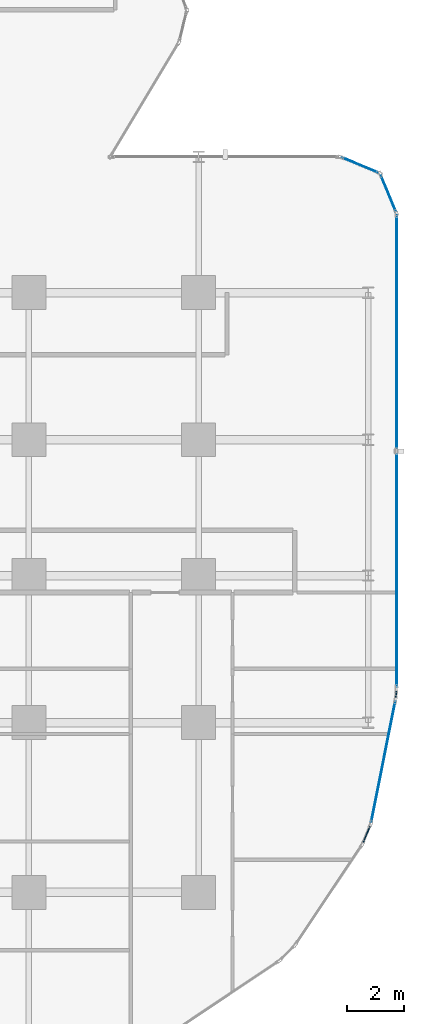
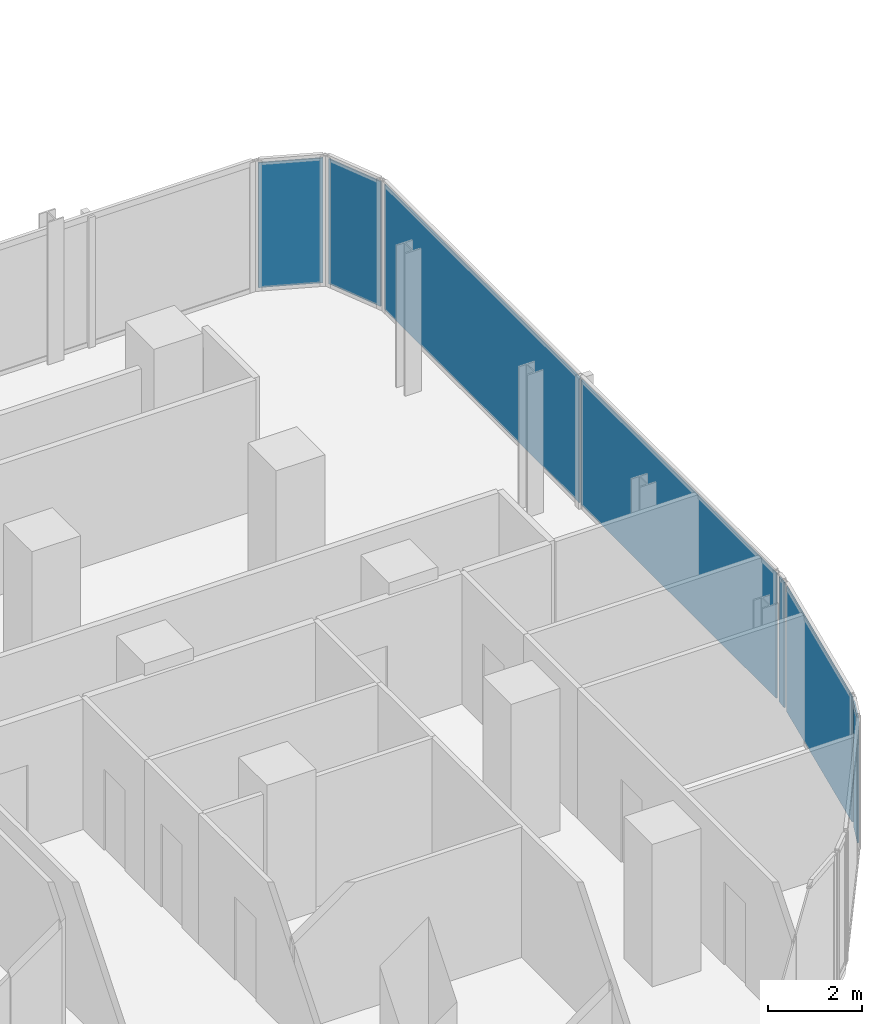
# One storey, part 25 of 34: 7 plates, 6 elements without a shape of their own.
"""IFC4 building model written with IfcOpenShell, lengths in metres."""

import ifcopenshell
import ifcopenshell.guid

model = None  # the IFC model being written
_history = None  # IfcOwnerHistory: only IFC2X3 demands one
_inside = {}  # id of a spatial element -> (the spatial element, [elements in it])
_under = {}  # id of a project, library or spatial element -> (it, [spatial elements below it])
_declared = {}  # id of a project -> (the project, [libraries it declares])
_typed = {}  # id of a type object -> (the type object, [elements of that type])
_made_of = {}  # id of a material, layer set ... -> (it, [elements and type objects made of it])


def new_model(schema):
    """Start an empty IFC model of exactly this schema.

    Asked for "IFC4X3", IfcOpenShell would pick the latest addendum, in which some entities
    have other attributes; the version numbers below select the first issue.
    IFC2X3 requires an IfcOwnerHistory on every rooted entity: one is made here for all.
    """
    global model, _history
    if schema == "IFC4X3":
        model = ifcopenshell.file(schema_version=(4, 3, 0, 0))
    else:
        model = ifcopenshell.file(schema=schema)
    _inside.clear()
    _under.clear()
    _declared.clear()
    _typed.clear()
    _made_of.clear()
    _history = None
    if model.schema == "IFC2X3":
        org = make("IfcOrganization", Name="unknown")
        user = make(
            "IfcPersonAndOrganization",
            ThePerson=make("IfcPerson", FamilyName="unknown"),
            TheOrganization=org,
        )
        app = make(
            "IfcApplication",
            ApplicationDeveloper=org,
            Version="unknown",
            ApplicationFullName="unknown",
            ApplicationIdentifier="unknown",
        )
        _history = make(
            "IfcOwnerHistory",
            OwningUser=user,
            OwningApplication=app,
            ChangeAction="ADDED",
            CreationDate=0,
        )
    return model


def make(cls, **values):
    """One entity of the class cls with the attributes given. An attribute that is None is left unset."""
    return model.create_entity(
        cls, **{name: value for name, value in values.items() if value is not None}
    )


def rooted(cls, **values):
    """An entity with a GlobalId (a new one), such as an element, a storey or a relation."""
    return make(cls, GlobalId=ifcopenshell.guid.new(), OwnerHistory=_history, **values)


def si_unit(unit_type, name, prefix=None):
    """IfcSIUnit, for example si_unit("LENGTHUNIT", "METRE", prefix="MILLI")."""
    return make("IfcSIUnit", UnitType=unit_type, Prefix=prefix, Name=name)


def assignment(units):
    """IfcUnitAssignment: the units of a project."""
    return None if units is None else make("IfcUnitAssignment", Units=units)


def point(xyz):
    """IfcCartesianPoint."""
    return None if xyz is None else make("IfcCartesianPoint", Coordinates=xyz)


def direction(xyz):
    """IfcDirection."""
    return None if xyz is None else make("IfcDirection", DirectionRatios=xyz)


def frame(location, z_axis=None, x_axis=None):
    """IfcAxis2Placement3D, a coordinate frame: its origin and axes. An axis left out is left unset."""
    return make(
        "IfcAxis2Placement3D",
        Location=point(location),
        Axis=direction(z_axis),
        RefDirection=direction(x_axis),
    )


def frame_2d(location, x_axis=None):
    """IfcAxis2Placement2D, a coordinate frame in the plane: its origin and x axis."""
    return make(
        "IfcAxis2Placement2D", Location=point(location), RefDirection=direction(x_axis)
    )


def origin():
    """The frame at (0, 0, 0) with its axes left unset."""
    return frame((0.0, 0.0, 0.0))


def origin_2d():
    """The frame at (0, 0) in the plane with its x axis left unset."""
    return frame_2d((0.0, 0.0))


def place(relative_to, where):
    """IfcLocalPlacement: puts the frame where relative to a parent placement (None: the world)."""
    return make(
        "IfcLocalPlacement", PlacementRelTo=relative_to, RelativePlacement=where
    )


def context(
    kind, dimensions, precision=None, world=None, true_north=None, identifier=None
):
    """IfcGeometricRepresentationContext, for example the 3D "Model" context."""
    return make(
        "IfcGeometricRepresentationContext",
        ContextIdentifier=identifier,
        ContextType=kind,
        CoordinateSpaceDimension=dimensions,
        Precision=precision,
        WorldCoordinateSystem=world,
        TrueNorth=true_north,
    )


def subcontext(parent, identifier, kind, view, scale=None):
    """IfcGeometricRepresentationSubContext, for example "Body" below "Model"."""
    return make(
        "IfcGeometricRepresentationSubContext",
        ContextIdentifier=identifier,
        ContextType=kind,
        ParentContext=parent,
        TargetScale=scale,
        TargetView=view,
    )


def project(units=None, contexts=None):
    """IfcProject with its units and contexts."""
    return rooted(
        "IfcProject",
        Name="project",
        RepresentationContexts=contexts,
        UnitsInContext=assignment(units),
    )


def spatial(cls, under=None, at=None, **own):
    """A site, building, storey or space (cls), placed at a placement, below another one or the project."""
    s = rooted(cls, ObjectPlacement=at, **own)
    if under is not None:
        _under.setdefault(under.id(), (under, []))[1].append(s)
    return s


def profile(cls, at=None, kind="AREA", **sizes):
    """A parametric profile (cls). Its sizes go by their IFC names, for example OverallWidth=200.0."""
    return make(cls, ProfileType=kind, Position=at, **sizes)


def rectangle(**sizes):
    """IfcRectangleProfileDef."""
    return profile("IfcRectangleProfileDef", **sizes)


def extrude(swept, where, along, depth):
    """IfcExtrudedAreaSolid: the profile swept, set in the frame where, extruded along a direction by depth."""
    return make(
        "IfcExtrudedAreaSolid",
        SweptArea=swept,
        Position=where,
        ExtrudedDirection=direction(along),
        Depth=depth,
    )


def shape(context_of_items, identifier, shape_type, items):
    """IfcShapeRepresentation: the items that make up one representation, for example the "Body"."""
    return make(
        "IfcShapeRepresentation",
        ContextOfItems=context_of_items,
        RepresentationIdentifier=identifier,
        RepresentationType=shape_type,
        Items=items,
    )


def material(Name=None, Category=None):
    """IfcMaterial."""
    return make("IfcMaterial", Name=Name, Category=Category)


def layer(
    of_material, thickness, ventilated=None, Name=None, Category=None, Priority=None
):
    """IfcMaterialLayer: one layer of a wall or slab, of a material (None: an air gap)."""
    return make(
        "IfcMaterialLayer",
        Material=of_material,
        LayerThickness=thickness,
        IsVentilated=ventilated,
        Name=Name,
        Category=Category,
        Priority=Priority,
    )


def layer_set(layers, Name=None):
    """IfcMaterialLayerSet."""
    return make("IfcMaterialLayerSet", MaterialLayers=layers, LayerSetName=Name)


def made_of(thing, what):
    """Note that an element or type object is made of a material, layer set ...; save() writes the relation."""
    if what is not None:
        _made_of.setdefault(what.id(), (what, []))[1].append(thing)
    return thing


def type_object(cls, material=None, **own):
    """A type object (cls), such as IfcWallType, which elements share."""
    return made_of(rooted(cls, **own), material)


def element(
    cls,
    number,
    at=None,
    inside=None,
    cuts=None,
    type_object=None,
    material=None,
    context=None,
    identifier="Body",
    shape_type=None,
    held_by="IfcProductDefinitionShape",
    body=None,
    shapes=None,
    **own,
):
    """One element of the class cls, such as IfcWall. Its Tag is "e" and its number.

    at: its placement. inside: the storey or other place that contains it. cuts: it is an
    opening in that element (IfcRelVoidsElement). A single representation is given by context,
    identifier, shape_type and body (its items); several are given by shapes. held_by: the class
    of the entity that holds the representations. save() writes the other relations.
    """
    e = rooted(cls, Tag="e%d" % number, ObjectPlacement=at, **own)
    if body is not None:
        shapes = [shape(context, identifier, shape_type, body)]
    if shapes is not None:
        e.Representation = make(held_by, Representations=shapes)
    if inside is not None:
        _inside.setdefault(inside.id(), (inside, []))[1].append(e)
    if cuts is not None:
        rooted(
            "IfcRelVoidsElement", RelatingBuildingElement=cuts, RelatedOpeningElement=e
        )
    if type_object is not None:
        _typed.setdefault(type_object.id(), (type_object, []))[1].append(e)
    return made_of(e, material)


def aggregate(whole, parts):
    """IfcRelAggregates: a whole, such as a stair, and the parts it consists of."""
    return rooted("IfcRelAggregates", RelatingObject=whole, RelatedObjects=parts)


def save(model, path):
    """Write the relations noted so far, then the file.

    IfcRelAggregates (storeys below a building ...), IfcRelContainedInSpatialStructure (elements
    in a storey), IfcRelDefinesByType, IfcRelAssociatesMaterial and IfcRelDeclares: one each for
    every whole, place, type object, material and project.
    """
    for whole, parts in _under.values():
        aggregate(whole, parts)
    for where, things in _inside.values():
        rooted(
            "IfcRelContainedInSpatialStructure",
            RelatedElements=things,
            RelatingStructure=where,
        )
    for kind, things in _typed.values():
        rooted("IfcRelDefinesByType", RelatedObjects=things, RelatingType=kind)
    for what, things in _made_of.values():
        rooted("IfcRelAssociatesMaterial", RelatedObjects=things, RelatingMaterial=what)
    for by, libraries in _declared.values():
        rooted("IfcRelDeclares", RelatingContext=by, RelatedDefinitions=libraries)
    model.write(path)


model = new_model("IFC4")

# Units and contexts
model_context = context("Model", 3, precision=1e-05, world=origin(), true_north=direction((0.0, 1.0)))
body_context = subcontext(model_context, "Body", "Model", "MODEL_VIEW")
ifc_project = project(units=[si_unit("LENGTHUNIT", "METRE"), si_unit("AREAUNIT", "SQUARE_METRE"), si_unit("VOLUMEUNIT", "CUBIC_METRE"), si_unit("PLANEANGLEUNIT", "RADIAN"), si_unit("MASSUNIT", "GRAM", prefix="KILO")], contexts=[model_context])

# Site, building, storey
site_placement = place(None, origin())
site = spatial("IfcSite", under=ifc_project, at=site_placement, CompositionType="ELEMENT")
building_placement = place(site_placement, origin())
building = spatial("IfcBuilding", under=site, at=building_placement, Name="Keshet Zoharim Tower", CompositionType="ELEMENT")
storey_placement = place(building_placement, frame((0.0, 0.0, 70.10009765625)))
storey = spatial("IfcBuildingStorey", under=building, at=storey_placement, Name="L16", CompositionType="ELEMENT", Elevation=70.10009765625)

# Curtain wall, plate
ifc_material_1 = material(Name="Aluminium 6063-T6", Category="aluminium")
ifc_layer_1 = layer(ifc_material_1, 0.179931640625)
ifc_layer_set_1 = layer_set([ifc_layer_1], Name="Aluminium 6063-T6")
curtain_wall_type_1 = type_object("IfcCurtainWallType", Name="CW-SYS-01", PredefinedType="NOTDEFINED", material=ifc_layer_set_1)
curtain_wall_1_placement = place(storey_placement, origin())
curtain_wall_1 = element("IfcCurtainWall", 1, at=curtain_wall_1_placement, inside=storey, type_object=curtain_wall_type_1, Name="L16 Unitised Curtain Wall 19", PredefinedType="NOTDEFINED")
ifc_material_2 = material(Name="Insulated Low-E Clear Glass", Category="glass")
ifc_layer_2 = layer(ifc_material_2, 0.035888671875)
ifc_layer_set_2 = layer_set([ifc_layer_2], Name="Insulated Low-E Clear Glass")
plate_type_1 = type_object("IfcPlateType", Name="CWP-01", PredefinedType="CURTAIN_PANEL", material=ifc_layer_set_2)
plate_1_placement = place(storey_placement, frame((68.9384765625, 8.75439453125, 0.06982421875), z_axis=(0.0, 0.0, 1.0), x_axis=(-0.383068349739, -0.923720000557, 0.0)))
plate_1 = element("IfcPlate", 2, at=plate_1_placement, type_object=plate_type_1, Name="CW-01 panel 1.1", PredefinedType="CURTAIN_PANEL", context=body_context, shape_type="SweptSolid", body=[
    extrude(rectangle(XDim=0.640625, YDim=0.035888671875, at=origin_2d()), origin(), (0.0, 0.0, 1.0), 3.2451171875),
])
aggregate(curtain_wall_1, [plate_1])

ifc_layer_3 = layer(ifc_material_1, 0.169921875)
ifc_layer_set_3 = layer_set([ifc_layer_3], Name="Aluminium 6063-T6")
curtain_wall_type_2 = type_object("IfcCurtainWallType", Name="CW-SYS-02", PredefinedType="NOTDEFINED", material=ifc_layer_set_3)
curtain_wall_2_placement = place(storey_placement, origin())
curtain_wall_2 = element("IfcCurtainWall", 3, at=curtain_wall_2_placement, inside=storey, type_object=curtain_wall_type_2, Name="L16 Unitised Curtain Wall 14", PredefinedType="NOTDEFINED")
ifc_layer_4 = layer(ifc_material_2, 0.031982421875)
ifc_layer_set_4 = layer_set([ifc_layer_4], Name="Insulated Low-E Clear Glass")
plate_type_2 = type_object("IfcPlateType", Name="CWP-02", PredefinedType="CURTAIN_PANEL", material=ifc_layer_set_4)
plate_2_placement = place(storey_placement, frame((68.70703125, 32.406982421875, 0.06982421875), z_axis=(0.0, 0.0, 1.0), x_axis=(0.92380975372, -0.382851849847, 0.0)))
plate_2 = element("IfcPlate", 4, at=plate_2_placement, type_object=plate_type_2, Name="CW-02 panel 1.1", PredefinedType="CURTAIN_PANEL", context=body_context, shape_type="SweptSolid", body=[
    extrude(rectangle(XDim=1.390625, YDim=0.031982421875, at=origin_2d()), origin(), (0.0, 0.0, 1.0), 3.2451171875),
])
aggregate(curtain_wall_2, [plate_2])

curtain_wall_3_placement = place(storey_placement, origin())
curtain_wall_3 = element("IfcCurtainWall", 5, at=curtain_wall_3_placement, inside=storey, type_object=curtain_wall_type_2, Name="L16 Unitised Curtain Wall 15", PredefinedType="NOTDEFINED")
plate_3_placement = place(storey_placement, frame((69.70703125, 31.406982421875, 0.06982421875), z_axis=(0.0, 0.0, 1.0), x_axis=(0.382851849847, -0.92380975372, 0.0)))
plate_3 = element("IfcPlate", 6, at=plate_3_placement, type_object=plate_type_2, Name="CW-02 panel 1.1", PredefinedType="CURTAIN_PANEL", context=body_context, shape_type="SweptSolid", body=[
    extrude(rectangle(XDim=1.390625, YDim=0.031982421875, at=origin_2d()), origin(), (0.0, 0.0, 1.0), 3.2451171875),
])
aggregate(curtain_wall_3, [plate_3])

# Curtain wall, plates
curtain_wall_4_placement = place(storey_placement, origin())
curtain_wall_4 = element("IfcCurtainWall", 7, at=curtain_wall_4_placement, inside=storey, type_object=curtain_wall_type_2, Name="L16 Unitised Curtain Wall 16", PredefinedType="NOTDEFINED")
plate_4_placement = place(storey_placement, frame((70.0, 26.481689453125, 0.06982421875), z_axis=(0.0, 0.0, 1.0), x_axis=(0.0, -1.0, 0.0)))
plate_4 = element("IfcPlate", 8, at=plate_4_placement, type_object=plate_type_2, Name="CW-02 panel 1.1", PredefinedType="CURTAIN_PANEL", context=body_context, shape_type="SweptSolid", body=[
    extrude(rectangle(XDim=8.29638671875, YDim=0.031982421875, at=origin_2d()), origin(), (0.0, 0.0, 1.0), 3.2451171875),
])
plate_5_placement = place(storey_placement, frame((70.0, 18.115234375, 0.06982421875), z_axis=(0.0, 0.0, 1.0), x_axis=(0.0, -1.0, 0.0)))
plate_5 = element("IfcPlate", 9, at=plate_5_placement, type_object=plate_type_2, Name="CW-02 panel 2.1", PredefinedType="CURTAIN_PANEL", context=body_context, shape_type="SweptSolid", body=[
    extrude(rectangle(XDim=8.29638671875, YDim=0.031982421875, at=origin_2d()), origin(), (0.0, 0.0, 1.0), 3.2451171875),
])
aggregate(curtain_wall_4, [plate_4, plate_5])

# Curtain wall, plate
curtain_wall_5_placement = place(storey_placement, origin())
curtain_wall_5 = element("IfcCurtainWall", 10, at=curtain_wall_5_placement, inside=storey, type_object=curtain_wall_type_2, Name="L16 Unitised Curtain Wall 17", PredefinedType="NOTDEFINED")
plate_6_placement = place(storey_placement, frame((69.98095703125, 13.701904296875, 0.06982421875), z_axis=(0.0, 0.0, 1.0), x_axis=(-0.096976648633, -0.995286657009, 0.0)))
plate_6 = element("IfcPlate", 11, at=plate_6_placement, type_object=plate_type_2, Name="CW-02 panel 1.1", PredefinedType="CURTAIN_PANEL", context=body_context, shape_type="SweptSolid", body=[
    extrude(rectangle(XDim=0.251953125, YDim=0.031982421875, at=origin_2d()), origin(), (0.0, 0.0, 1.0), 3.2451171875),
])
aggregate(curtain_wall_5, [plate_6])

curtain_wall_6_placement = place(storey_placement, origin())
curtain_wall_6 = element("IfcCurtainWall", 12, at=curtain_wall_6_placement, inside=storey, type_object=curtain_wall_type_2, Name="L16 Unitised Curtain Wall 18", PredefinedType="NOTDEFINED")
plate_7_placement = place(storey_placement, frame((69.52490234375, 11.31103515625, 0.06982421875), z_axis=(0.0, 0.0, 1.0), x_axis=(-0.195171279072, -0.98076917357, 0.0)))
plate_7 = element("IfcPlate", 13, at=plate_7_placement, type_object=plate_type_2, Name="CW-02 panel 1.1", PredefinedType="CURTAIN_PANEL", context=body_context, shape_type="SweptSolid", body=[
    extrude(rectangle(XDim=4.338134765625, YDim=0.031982421875, at=origin_2d()), origin(), (0.0, 0.0, 1.0), 3.2451171875),
])
aggregate(curtain_wall_6, [plate_7])

save(model, "model.ifc")
